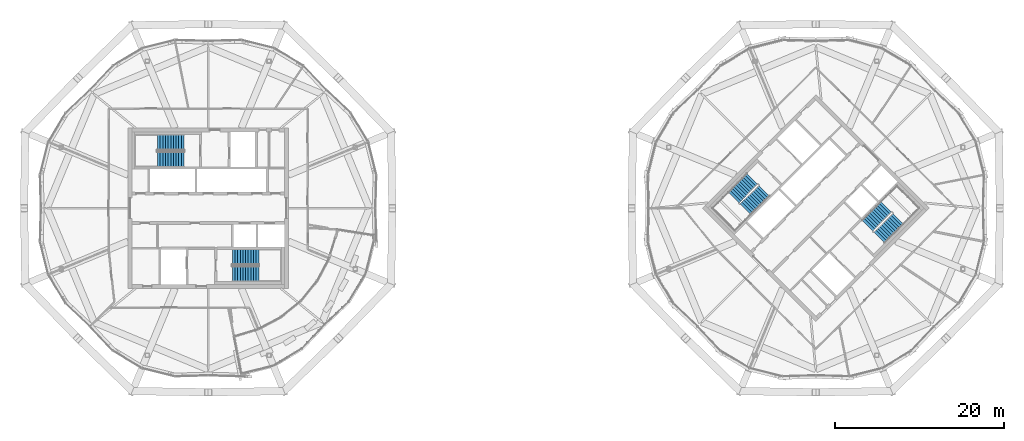
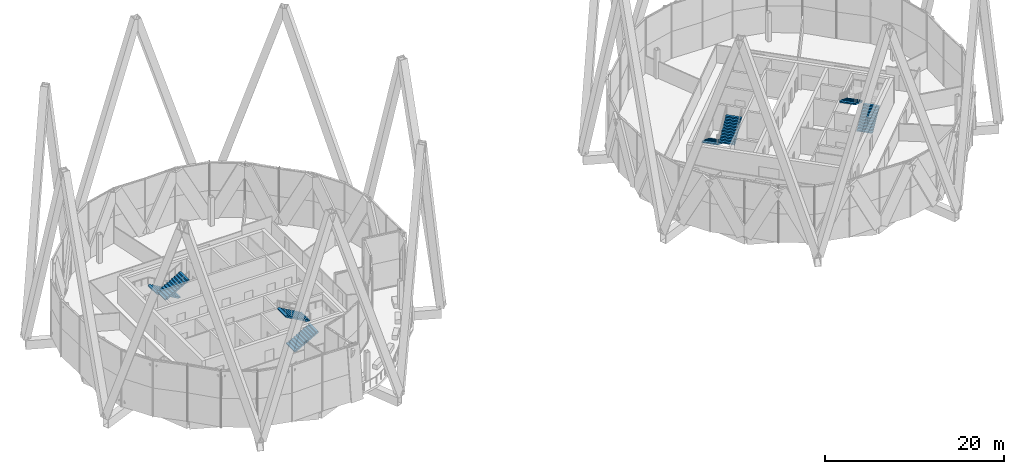
# One storey, part 50 of 53: 8 stair flights, 4 elements without a shape of their own.
"""IFC4 building model written with IfcOpenShell, lengths in metres."""

import ifcopenshell
import ifcopenshell.guid

model = None  # the IFC model being written
_history = None  # IfcOwnerHistory: only IFC2X3 demands one
_inside = {}  # id of a spatial element -> (the spatial element, [elements in it])
_under = {}  # id of a project, library or spatial element -> (it, [spatial elements below it])
_declared = {}  # id of a project -> (the project, [libraries it declares])
_typed = {}  # id of a type object -> (the type object, [elements of that type])
_made_of = {}  # id of a material, layer set ... -> (it, [elements and type objects made of it])


def new_model(schema):
    """Start an empty IFC model of exactly this schema.

    Asked for "IFC4X3", IfcOpenShell would pick the latest addendum, in which some entities
    have other attributes; the version numbers below select the first issue.
    IFC2X3 requires an IfcOwnerHistory on every rooted entity: one is made here for all.
    """
    global model, _history
    if schema == "IFC4X3":
        model = ifcopenshell.file(schema_version=(4, 3, 0, 0))
    else:
        model = ifcopenshell.file(schema=schema)
    _inside.clear()
    _under.clear()
    _declared.clear()
    _typed.clear()
    _made_of.clear()
    _history = None
    if model.schema == "IFC2X3":
        org = make("IfcOrganization", Name="unknown")
        user = make(
            "IfcPersonAndOrganization",
            ThePerson=make("IfcPerson", FamilyName="unknown"),
            TheOrganization=org,
        )
        app = make(
            "IfcApplication",
            ApplicationDeveloper=org,
            Version="unknown",
            ApplicationFullName="unknown",
            ApplicationIdentifier="unknown",
        )
        _history = make(
            "IfcOwnerHistory",
            OwningUser=user,
            OwningApplication=app,
            ChangeAction="ADDED",
            CreationDate=0,
        )
    return model


def make(cls, **values):
    """One entity of the class cls with the attributes given. An attribute that is None is left unset."""
    return model.create_entity(
        cls, **{name: value for name, value in values.items() if value is not None}
    )


def rooted(cls, **values):
    """An entity with a GlobalId (a new one), such as an element, a storey or a relation."""
    return make(cls, GlobalId=ifcopenshell.guid.new(), OwnerHistory=_history, **values)


def si_unit(unit_type, name, prefix=None):
    """IfcSIUnit, for example si_unit("LENGTHUNIT", "METRE", prefix="MILLI")."""
    return make("IfcSIUnit", UnitType=unit_type, Prefix=prefix, Name=name)


def assignment(units):
    """IfcUnitAssignment: the units of a project."""
    return None if units is None else make("IfcUnitAssignment", Units=units)


def point(xyz):
    """IfcCartesianPoint."""
    return None if xyz is None else make("IfcCartesianPoint", Coordinates=xyz)


def direction(xyz):
    """IfcDirection."""
    return None if xyz is None else make("IfcDirection", DirectionRatios=xyz)


def frame(location, z_axis=None, x_axis=None):
    """IfcAxis2Placement3D, a coordinate frame: its origin and axes. An axis left out is left unset."""
    return make(
        "IfcAxis2Placement3D",
        Location=point(location),
        Axis=direction(z_axis),
        RefDirection=direction(x_axis),
    )


def origin():
    """The frame at (0, 0, 0) with its axes left unset."""
    return frame((0.0, 0.0, 0.0))


def place(relative_to, where):
    """IfcLocalPlacement: puts the frame where relative to a parent placement (None: the world)."""
    return make(
        "IfcLocalPlacement", PlacementRelTo=relative_to, RelativePlacement=where
    )


def context(
    kind, dimensions, precision=None, world=None, true_north=None, identifier=None
):
    """IfcGeometricRepresentationContext, for example the 3D "Model" context."""
    return make(
        "IfcGeometricRepresentationContext",
        ContextIdentifier=identifier,
        ContextType=kind,
        CoordinateSpaceDimension=dimensions,
        Precision=precision,
        WorldCoordinateSystem=world,
        TrueNorth=true_north,
    )


def subcontext(parent, identifier, kind, view, scale=None):
    """IfcGeometricRepresentationSubContext, for example "Body" below "Model"."""
    return make(
        "IfcGeometricRepresentationSubContext",
        ContextIdentifier=identifier,
        ContextType=kind,
        ParentContext=parent,
        TargetScale=scale,
        TargetView=view,
    )


def project(units=None, contexts=None):
    """IfcProject with its units and contexts."""
    return rooted(
        "IfcProject",
        Name="project",
        RepresentationContexts=contexts,
        UnitsInContext=assignment(units),
    )


def spatial(cls, under=None, at=None, **own):
    """A site, building, storey or space (cls), placed at a placement, below another one or the project."""
    s = rooted(cls, ObjectPlacement=at, **own)
    if under is not None:
        _under.setdefault(under.id(), (under, []))[1].append(s)
    return s


def polyline(points):
    """IfcPolyline through the points."""
    return make("IfcPolyline", Points=[point(p) for p in points])


def outline(outer, holes=None, kind="AREA"):
    """IfcArbitraryClosedProfileDef: a profile drawn as a closed curve; with holes, ...WithVoids."""
    if holes is None:
        return make("IfcArbitraryClosedProfileDef", ProfileType=kind, OuterCurve=outer)
    return make(
        "IfcArbitraryProfileDefWithVoids",
        ProfileType=kind,
        OuterCurve=outer,
        InnerCurves=holes,
    )


def extrude(swept, where, along, depth):
    """IfcExtrudedAreaSolid: the profile swept, set in the frame where, extruded along a direction by depth."""
    return make(
        "IfcExtrudedAreaSolid",
        SweptArea=swept,
        Position=where,
        ExtrudedDirection=direction(along),
        Depth=depth,
    )


def shape(context_of_items, identifier, shape_type, items):
    """IfcShapeRepresentation: the items that make up one representation, for example the "Body"."""
    return make(
        "IfcShapeRepresentation",
        ContextOfItems=context_of_items,
        RepresentationIdentifier=identifier,
        RepresentationType=shape_type,
        Items=items,
    )


def material(Name=None, Category=None):
    """IfcMaterial."""
    return make("IfcMaterial", Name=Name, Category=Category)


def made_of(thing, what):
    """Note that an element or type object is made of a material, layer set ...; save() writes the relation."""
    if what is not None:
        _made_of.setdefault(what.id(), (what, []))[1].append(thing)
    return thing


def type_object(cls, material=None, **own):
    """A type object (cls), such as IfcWallType, which elements share."""
    return made_of(rooted(cls, **own), material)


def element(
    cls,
    number,
    at=None,
    inside=None,
    cuts=None,
    type_object=None,
    material=None,
    context=None,
    identifier="Body",
    shape_type=None,
    held_by="IfcProductDefinitionShape",
    body=None,
    shapes=None,
    **own,
):
    """One element of the class cls, such as IfcWall. Its Tag is "e" and its number.

    at: its placement. inside: the storey or other place that contains it. cuts: it is an
    opening in that element (IfcRelVoidsElement). A single representation is given by context,
    identifier, shape_type and body (its items); several are given by shapes. held_by: the class
    of the entity that holds the representations. save() writes the other relations.
    """
    e = rooted(cls, Tag="e%d" % number, ObjectPlacement=at, **own)
    if body is not None:
        shapes = [shape(context, identifier, shape_type, body)]
    if shapes is not None:
        e.Representation = make(held_by, Representations=shapes)
    if inside is not None:
        _inside.setdefault(inside.id(), (inside, []))[1].append(e)
    if cuts is not None:
        rooted(
            "IfcRelVoidsElement", RelatingBuildingElement=cuts, RelatedOpeningElement=e
        )
    if type_object is not None:
        _typed.setdefault(type_object.id(), (type_object, []))[1].append(e)
    return made_of(e, material)


def aggregate(whole, parts):
    """IfcRelAggregates: a whole, such as a stair, and the parts it consists of."""
    return rooted("IfcRelAggregates", RelatingObject=whole, RelatedObjects=parts)


def save(model, path):
    """Write the relations noted so far, then the file.

    IfcRelAggregates (storeys below a building ...), IfcRelContainedInSpatialStructure (elements
    in a storey), IfcRelDefinesByType, IfcRelAssociatesMaterial and IfcRelDeclares: one each for
    every whole, place, type object, material and project.
    """
    for whole, parts in _under.values():
        aggregate(whole, parts)
    for where, things in _inside.values():
        rooted(
            "IfcRelContainedInSpatialStructure",
            RelatedElements=things,
            RelatingStructure=where,
        )
    for kind, things in _typed.values():
        rooted("IfcRelDefinesByType", RelatedObjects=things, RelatingType=kind)
    for what, things in _made_of.values():
        rooted("IfcRelAssociatesMaterial", RelatedObjects=things, RelatingMaterial=what)
    for by, libraries in _declared.values():
        rooted("IfcRelDeclares", RelatingContext=by, RelatedDefinitions=libraries)
    model.write(path)


model = new_model("IFC4")

# Units and contexts
model_context = context("Model", 3, precision=1e-05, world=origin(), true_north=direction((0.0, 1.0)))
body_context = subcontext(model_context, "Body", "Model", "MODEL_VIEW")
ifc_project = project(units=[si_unit("LENGTHUNIT", "METRE"), si_unit("AREAUNIT", "SQUARE_METRE"), si_unit("VOLUMEUNIT", "CUBIC_METRE"), si_unit("PLANEANGLEUNIT", "RADIAN"), si_unit("MASSUNIT", "GRAM", prefix="KILO")], contexts=[model_context])

# Site, building, storey
site_placement = place(None, origin())
site = spatial("IfcSite", under=ifc_project, at=site_placement, CompositionType="ELEMENT")
building_placement = place(site_placement, origin())
building = spatial("IfcBuilding", under=site, at=building_placement, Name="Ogive Gate Towers", CompositionType="ELEMENT")
storey_placement = place(building_placement, frame((0.0, 0.0, 240.60009765625)))
storey = spatial("IfcBuildingStorey", under=building, at=storey_placement, Name="L57", CompositionType="ELEMENT", Elevation=240.60009765625)

# Stair, stair flights
ifc_material = material(Name="Concrete C40/50", Category="concrete")
stair_type = type_object("IfcStairType", Name="Escape stair 1840 wide", PredefinedType="HALF_TURN_STAIR", material=ifc_material)
stair_1_placement = place(storey_placement, origin())
stair_1 = element("IfcStair", 1, at=stair_1_placement, inside=storey, type_object=stair_type, Name="L57 Escape stair 1", PredefinedType="HALF_TURN_STAIR")
stair_flight_type = type_object("IfcStairFlightType", Name="Stair flight 1840 wide", PredefinedType="STRAIGHT", material=ifc_material)
stair_flight_1_placement = place(storey_placement, frame((-38.864990234375, 7.780029296875, 0.0), z_axis=(0.0, 0.0, 1.0), x_axis=(-1.0, 0.0, 0.0)))
stair_flight_1 = element("IfcStairFlight", 2, at=stair_flight_1_placement, type_object=stair_flight_type, Name="ST1 flight 1", NumberOfRisers=11, NumberOfTreads=10, PredefinedType="STRAIGHT", RiserHeight=0.177272727, TreadLength=0.313636364, context=body_context, shape_type="SweptSolid", body=[
    extrude(outline(polyline([(0.0, 0.0), (0.0, 0.17724609375), (0.313720703125, 0.17724609375), (0.313720703125, 0.3544921875), (0.627197265625, 0.3544921875), (0.627197265625, 0.53173828125), (0.94091796875, 0.53173828125), (0.94091796875, 0.708984375), (1.254638671875, 0.708984375), (1.254638671875, 0.886474609375), (1.568115234375, 0.886474609375), (1.568115234375, 1.063720703125), (1.8818359375, 1.063720703125), (1.8818359375, 1.240966796875), (2.195556640625, 1.240966796875), (2.195556640625, 1.418212890625), (2.509033203125, 1.418212890625), (2.509033203125, 1.595458984375), (2.82275390625, 1.595458984375), (2.82275390625, 1.772705078125), (3.136474609375, 1.772705078125), (3.136474609375, 1.949951171875), (3.136474609375, 1.6005859375), (0.3046875, 0.0), (0.0, 0.0)])), frame((0.0, 0.919921875, 0.0), z_axis=(0.0, -1.0, 0.0), x_axis=(1.0, 0.0, 0.0)), (0.0, 0.0, 1.0), 1.840087890625),
])
stair_flight_2_placement = place(storey_placement, frame((-42.00146484375, 5.794921875, 1.949951171875), z_axis=(0.0, 0.0, 1.0), x_axis=(1.0, 0.0, 0.0)))
stair_flight_2 = element("IfcStairFlight", 3, at=stair_flight_2_placement, type_object=stair_flight_type, Name="ST1 flight 2", NumberOfRisers=11, NumberOfTreads=10, PredefinedType="STRAIGHT", RiserHeight=0.177272727, TreadLength=0.313636364, context=body_context, shape_type="SweptSolid", body=[
    extrude(outline(polyline([(0.0, 0.0), (0.0, 0.17724609375), (0.313720703125, 0.17724609375), (0.313720703125, 0.3544921875), (0.627197265625, 0.3544921875), (0.627197265625, 0.53173828125), (0.94091796875, 0.53173828125), (0.94091796875, 0.708984375), (1.254638671875, 0.708984375), (1.254638671875, 0.886474609375), (1.568115234375, 0.886474609375), (1.568115234375, 1.063720703125), (1.8818359375, 1.063720703125), (1.8818359375, 1.240966796875), (2.195556640625, 1.240966796875), (2.195556640625, 1.418212890625), (2.509033203125, 1.418212890625), (2.509033203125, 1.595458984375), (2.82275390625, 1.595458984375), (2.82275390625, 1.772705078125), (3.136474609375, 1.772705078125), (3.136474609375, 1.949951171875), (3.136474609375, 1.6005859375), (0.3046875, 0.0), (0.0, 0.0)])), frame((0.0, 0.919921875, 0.0), z_axis=(0.0, -1.0, 0.0), x_axis=(1.0, 0.0, 0.0)), (0.0, 0.0, 1.0), 1.840087890625),
])
aggregate(stair_1, [stair_flight_1, stair_flight_2])

stair_2_placement = place(storey_placement, origin())
stair_2 = element("IfcStair", 4, at=stair_2_placement, inside=storey, type_object=stair_type, Name="L57 Escape stair 2", PredefinedType="HALF_TURN_STAIR")
stair_flight_3_placement = place(storey_placement, frame((-33.135009765625, -7.780029296875, 0.0), z_axis=(0.0, 0.0, 1.0), x_axis=(1.0, 0.0, 0.0)))
stair_flight_3 = element("IfcStairFlight", 5, at=stair_flight_3_placement, type_object=stair_flight_type, Name="ST2 flight 1", NumberOfRisers=11, NumberOfTreads=10, PredefinedType="STRAIGHT", RiserHeight=0.177272727, TreadLength=0.313636364, context=body_context, shape_type="SweptSolid", body=[
    extrude(outline(polyline([(0.0, 0.0), (0.0, 0.17724609375), (0.313720703125, 0.17724609375), (0.313720703125, 0.3544921875), (0.627197265625, 0.3544921875), (0.627197265625, 0.53173828125), (0.94091796875, 0.53173828125), (0.94091796875, 0.708984375), (1.254638671875, 0.708984375), (1.254638671875, 0.886474609375), (1.568115234375, 0.886474609375), (1.568115234375, 1.063720703125), (1.8818359375, 1.063720703125), (1.8818359375, 1.240966796875), (2.195556640625, 1.240966796875), (2.195556640625, 1.418212890625), (2.509033203125, 1.418212890625), (2.509033203125, 1.595458984375), (2.82275390625, 1.595458984375), (2.82275390625, 1.772705078125), (3.136474609375, 1.772705078125), (3.136474609375, 1.949951171875), (3.136474609375, 1.6005859375), (0.3046875, 0.0), (0.0, 0.0)])), frame((0.0, 0.919921875, 0.0), z_axis=(0.0, -1.0, 0.0), x_axis=(1.0, 0.0, 0.0)), (0.0, 0.0, 1.0), 1.840087890625),
])
stair_flight_4_placement = place(storey_placement, frame((-29.99853515625, -5.794921875, 1.949951171875), z_axis=(0.0, 0.0, 1.0), x_axis=(-1.0, 0.0, 0.0)))
stair_flight_4 = element("IfcStairFlight", 6, at=stair_flight_4_placement, type_object=stair_flight_type, Name="ST2 flight 2", NumberOfRisers=11, NumberOfTreads=10, PredefinedType="STRAIGHT", RiserHeight=0.177272727, TreadLength=0.313636364, context=body_context, shape_type="SweptSolid", body=[
    extrude(outline(polyline([(0.0, 0.0), (0.0, 0.17724609375), (0.313720703125, 0.17724609375), (0.313720703125, 0.3544921875), (0.627197265625, 0.3544921875), (0.627197265625, 0.53173828125), (0.94091796875, 0.53173828125), (0.94091796875, 0.708984375), (1.254638671875, 0.708984375), (1.254638671875, 0.886474609375), (1.568115234375, 0.886474609375), (1.568115234375, 1.063720703125), (1.8818359375, 1.063720703125), (1.8818359375, 1.240966796875), (2.195556640625, 1.240966796875), (2.195556640625, 1.418212890625), (2.509033203125, 1.418212890625), (2.509033203125, 1.595458984375), (2.82275390625, 1.595458984375), (2.82275390625, 1.772705078125), (3.136474609375, 1.772705078125), (3.136474609375, 1.949951171875), (3.136474609375, 1.6005859375), (0.3046875, 0.0), (0.0, 0.0)])), frame((0.0, 0.919921875, 0.0), z_axis=(0.0, -1.0, 0.0), x_axis=(1.0, 0.0, 0.0)), (0.0, 0.0, 1.0), 1.840087890625),
])
aggregate(stair_2, [stair_flight_3, stair_flight_4])

stair_3_placement = place(storey_placement, origin())
stair_3 = element("IfcStair", 7, at=stair_3_placement, inside=storey, type_object=stair_type, Name="L57 Escape stair 1", PredefinedType="HALF_TURN_STAIR")
stair_flight_5_placement = place(storey_placement, frame((28.472900390625, 3.475341796875, 0.0), z_axis=(0.0, 0.0, 1.0), x_axis=(-0.707106781187, -0.707106781187, 0.0)))
stair_flight_5 = element("IfcStairFlight", 8, at=stair_flight_5_placement, type_object=stair_flight_type, Name="ST1 flight 1", NumberOfRisers=11, NumberOfTreads=10, PredefinedType="STRAIGHT", RiserHeight=0.177272727, TreadLength=0.313636364, context=body_context, shape_type="SweptSolid", body=[
    extrude(outline(polyline([(0.0, 0.0), (0.0, 0.17724609375), (0.313720703125, 0.17724609375), (0.313720703125, 0.3544921875), (0.627197265625, 0.3544921875), (0.627197265625, 0.53173828125), (0.94091796875, 0.53173828125), (0.94091796875, 0.708984375), (1.254638671875, 0.708984375), (1.254638671875, 0.886474609375), (1.568115234375, 0.886474609375), (1.568115234375, 1.063720703125), (1.8818359375, 1.063720703125), (1.8818359375, 1.240966796875), (2.195556640625, 1.240966796875), (2.195556640625, 1.418212890625), (2.509033203125, 1.418212890625), (2.509033203125, 1.595458984375), (2.82275390625, 1.595458984375), (2.82275390625, 1.772705078125), (3.136474609375, 1.772705078125), (3.136474609375, 1.949951171875), (3.136474609375, 1.6005859375), (0.3046875, 0.0), (0.0, 0.0)])), frame((0.0, 0.919921875, 0.0), z_axis=(0.0, -1.0, 0.0), x_axis=(1.0, 0.0, 0.0)), (0.0, 0.0, 1.0), 1.840087890625),
])
stair_flight_6_placement = place(storey_placement, frame((27.65869140625, -0.14599609375, 1.949951171875), z_axis=(0.0, 0.0, 1.0), x_axis=(0.707106781187, 0.707106781187, 0.0)))
stair_flight_6 = element("IfcStairFlight", 9, at=stair_flight_6_placement, type_object=stair_flight_type, Name="ST1 flight 2", NumberOfRisers=11, NumberOfTreads=10, PredefinedType="STRAIGHT", RiserHeight=0.177272727, TreadLength=0.313636364, context=body_context, shape_type="SweptSolid", body=[
    extrude(outline(polyline([(0.0, 0.0), (0.0, 0.17724609375), (0.313720703125, 0.17724609375), (0.313720703125, 0.3544921875), (0.627197265625, 0.3544921875), (0.627197265625, 0.53173828125), (0.94091796875, 0.53173828125), (0.94091796875, 0.708984375), (1.254638671875, 0.708984375), (1.254638671875, 0.886474609375), (1.568115234375, 0.886474609375), (1.568115234375, 1.063720703125), (1.8818359375, 1.063720703125), (1.8818359375, 1.240966796875), (2.195556640625, 1.240966796875), (2.195556640625, 1.418212890625), (2.509033203125, 1.418212890625), (2.509033203125, 1.595458984375), (2.82275390625, 1.595458984375), (2.82275390625, 1.772705078125), (3.136474609375, 1.772705078125), (3.136474609375, 1.949951171875), (3.136474609375, 1.6005859375), (0.3046875, 0.0), (0.0, 0.0)])), frame((0.0, 0.919921875, 0.0), z_axis=(0.0, -1.0, 0.0), x_axis=(1.0, 0.0, 0.0)), (0.0, 0.0, 1.0), 1.840087890625),
])
aggregate(stair_3, [stair_flight_5, stair_flight_6])

stair_4_placement = place(storey_placement, origin())
stair_4 = element("IfcStair", 10, at=stair_4_placement, inside=storey, type_object=stair_type, Name="L57 Escape stair 2", PredefinedType="HALF_TURN_STAIR")
stair_flight_7_placement = place(storey_placement, frame((43.527099609375, -3.475341796875, 0.0), z_axis=(0.0, 0.0, 1.0), x_axis=(0.707106781187, 0.707106781187, 0.0)))
stair_flight_7 = element("IfcStairFlight", 11, at=stair_flight_7_placement, type_object=stair_flight_type, Name="ST2 flight 1", NumberOfRisers=11, NumberOfTreads=10, PredefinedType="STRAIGHT", RiserHeight=0.177272727, TreadLength=0.313636364, context=body_context, shape_type="SweptSolid", body=[
    extrude(outline(polyline([(0.0, 0.0), (0.0, 0.17724609375), (0.313720703125, 0.17724609375), (0.313720703125, 0.3544921875), (0.627197265625, 0.3544921875), (0.627197265625, 0.53173828125), (0.94091796875, 0.53173828125), (0.94091796875, 0.708984375), (1.254638671875, 0.708984375), (1.254638671875, 0.886474609375), (1.568115234375, 0.886474609375), (1.568115234375, 1.063720703125), (1.8818359375, 1.063720703125), (1.8818359375, 1.240966796875), (2.195556640625, 1.240966796875), (2.195556640625, 1.418212890625), (2.509033203125, 1.418212890625), (2.509033203125, 1.595458984375), (2.82275390625, 1.595458984375), (2.82275390625, 1.772705078125), (3.136474609375, 1.772705078125), (3.136474609375, 1.949951171875), (3.136474609375, 1.6005859375), (0.3046875, 0.0), (0.0, 0.0)])), frame((0.0, 0.919921875, 0.0), z_axis=(0.0, -1.0, 0.0), x_axis=(1.0, 0.0, 0.0)), (0.0, 0.0, 1.0), 1.840087890625),
])
stair_flight_8_placement = place(storey_placement, frame((44.34130859375, 0.14599609375, 1.949951171875), z_axis=(0.0, 0.0, 1.0), x_axis=(-0.707106781187, -0.707106781187, 0.0)))
stair_flight_8 = element("IfcStairFlight", 12, at=stair_flight_8_placement, type_object=stair_flight_type, Name="ST2 flight 2", NumberOfRisers=11, NumberOfTreads=10, PredefinedType="STRAIGHT", RiserHeight=0.177272727, TreadLength=0.313636364, context=body_context, shape_type="SweptSolid", body=[
    extrude(outline(polyline([(0.0, 0.0), (0.0, 0.17724609375), (0.313720703125, 0.17724609375), (0.313720703125, 0.3544921875), (0.627197265625, 0.3544921875), (0.627197265625, 0.53173828125), (0.94091796875, 0.53173828125), (0.94091796875, 0.708984375), (1.254638671875, 0.708984375), (1.254638671875, 0.886474609375), (1.568115234375, 0.886474609375), (1.568115234375, 1.063720703125), (1.8818359375, 1.063720703125), (1.8818359375, 1.240966796875), (2.195556640625, 1.240966796875), (2.195556640625, 1.418212890625), (2.509033203125, 1.418212890625), (2.509033203125, 1.595458984375), (2.82275390625, 1.595458984375), (2.82275390625, 1.772705078125), (3.136474609375, 1.772705078125), (3.136474609375, 1.949951171875), (3.136474609375, 1.6005859375), (0.3046875, 0.0), (0.0, 0.0)])), frame((0.0, 0.919921875, 0.0), z_axis=(0.0, -1.0, 0.0), x_axis=(1.0, 0.0, 0.0)), (0.0, 0.0, 1.0), 1.840087890625),
])
aggregate(stair_4, [stair_flight_7, stair_flight_8])

save(model, "model.ifc")
